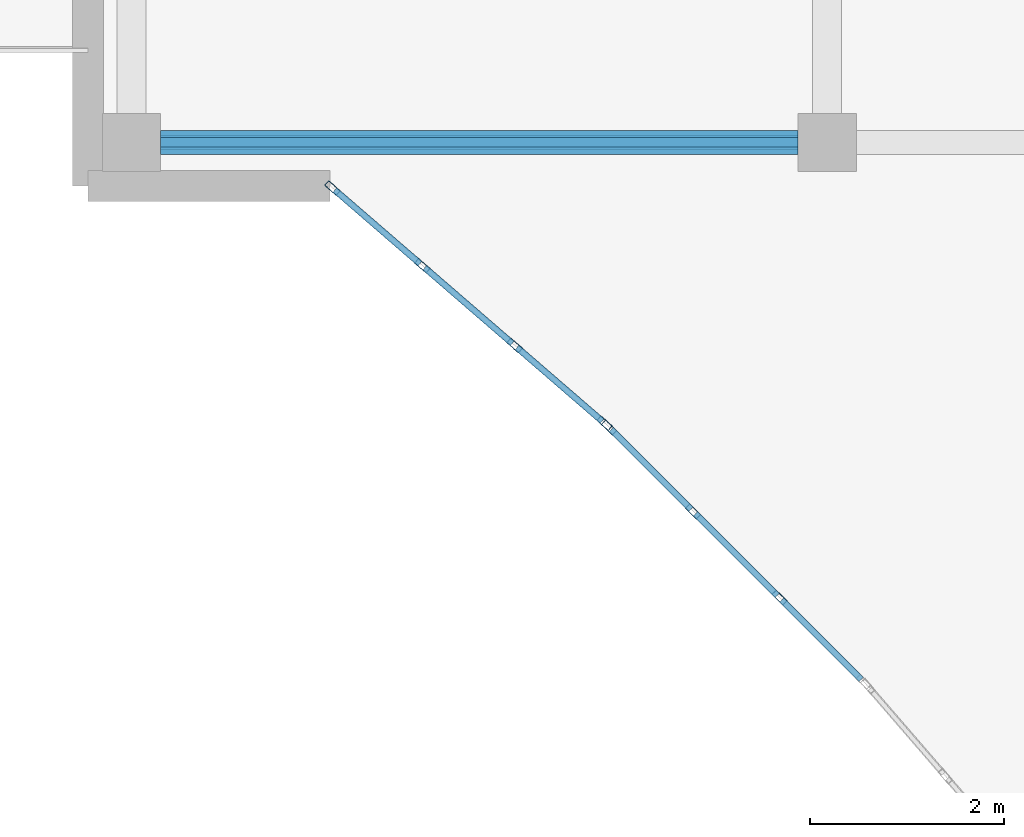
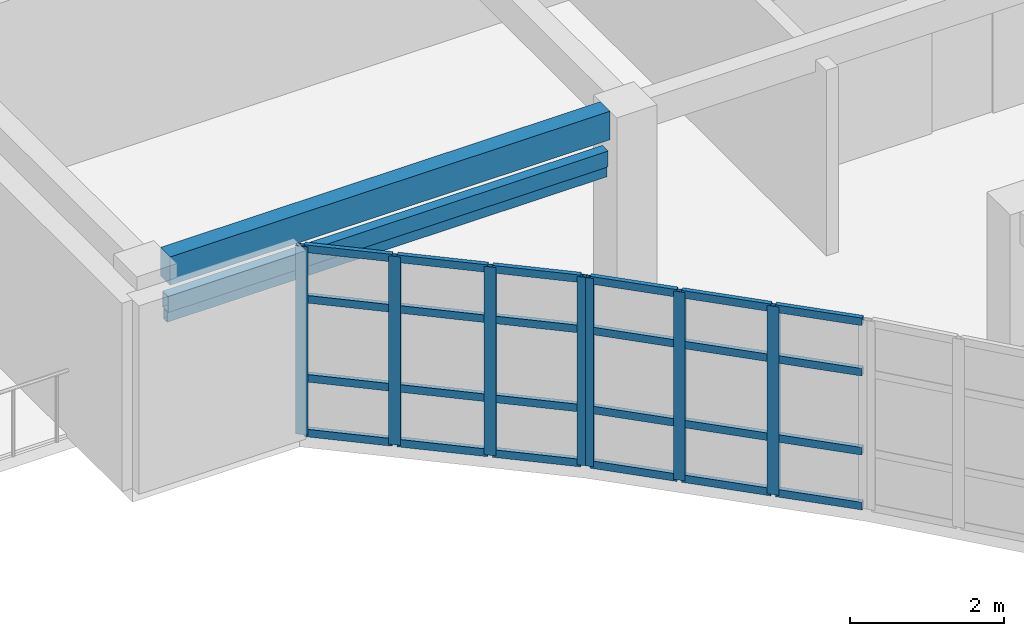
# One storey, part 10 of 76: 33 members, 1 beam, 2 elements without a shape of their own.
"""IFC4 building model written with IfcOpenShell, lengths in metres."""

from ifc_helpers import new_model, si_unit, direction, frame, origin, origin_2d, place, context, subcontext, project, spatial, rectangle, hollow_rectangle, extrude, material, layer, layer_set, material_profile, profile_set, type_object, element, aggregate, save


model = new_model("IFC4")

# Units and contexts
model_context = context("Model", 3, precision=1e-05, world=origin(), true_north=direction((0.0, 1.0)))
body_context = subcontext(model_context, "Body", "Model", "MODEL_VIEW")
ifc_project = project(units=[si_unit("LENGTHUNIT", "METRE"), si_unit("AREAUNIT", "SQUARE_METRE"), si_unit("VOLUMEUNIT", "CUBIC_METRE"), si_unit("PLANEANGLEUNIT", "RADIAN"), si_unit("MASSUNIT", "GRAM", prefix="KILO")], contexts=[model_context])

# Site, building, storey
site_placement = place(None, origin())
site = spatial("IfcSite", under=ifc_project, at=site_placement, CompositionType="ELEMENT")
building_placement = place(site_placement, origin())
building = spatial("IfcBuilding", under=site, at=building_placement, Name="Keldmere Railside Commons", CompositionType="ELEMENT")
storey_placement = place(building_placement, frame((0.0, 0.0, 13.760009765625)))
storey = spatial("IfcBuildingStorey", under=building, at=storey_placement, Name="L04", CompositionType="ELEMENT", Elevation=13.760009765625)

# Member
ifc_material_1 = material(Name="Steel F-36 (S355)", Category="steel")
ifc_material_profile_1 = material_profile(ifc_material_1, hollow_rectangle(XDim=0.14990234375, YDim=0.25, WallThickness=0.010009765625, at=origin_2d()), Name="RHS-250x150x10")
ifc_profile_set_1 = profile_set([ifc_material_profile_1], Name="Steel F-36 (S355)")
member_type_1 = type_object("IfcMemberType", Name="Balcony Continuous Planted Trough RHS250x150", PredefinedType="CHORD", material=ifc_profile_set_1)
member_1_placement = place(storey_placement, frame((94.25, 100.449951171875, 2.4150390625), z_axis=(1.0, 0.0, 0.0), x_axis=(0.0, 1.0, 0.0)))
element("IfcMember", 1, at=member_1_placement, inside=storey, type_object=member_type_1, Name="PLT-1 MEM-BPLT-0519", PredefinedType="CHORD", context=body_context, shape_type="SweptSolid", body=[
    extrude(hollow_rectangle(XDim=0.14990234375, YDim=0.25, WallThickness=0.010009765625, at=origin_2d()), origin(), (0.0, 0.0, 1.0), 6.5830078125),
])

# Beam
ifc_material_2 = material(Name="Architectural Precast Concrete H-35 (C35/45)", Category="concrete")
ifc_material_profile_2 = material_profile(ifc_material_2, rectangle(XDim=0.25, YDim=0.449951171875, at=origin_2d()), Name="RC-250x450")
ifc_profile_set_2 = profile_set([ifc_material_profile_2], Name="Architectural Precast Concrete H-35 (C35/45)")
beam_type = type_object("IfcBeamType", Name="Perimeter Precast Spandrel Beam 250x450", PredefinedType="SPANDREL", material=ifc_profile_set_2)
beam_placement = place(storey_placement, frame((94.25, 100.449951171875, 2.97509765625), z_axis=(1.0, 0.0, 0.0), x_axis=(0.0, 1.0, 0.0)))
element("IfcBeam", 2, at=beam_placement, inside=storey, type_object=beam_type, Name="SPB-1 BM-L04-1558", PredefinedType="SPANDREL", context=body_context, shape_type="SweptSolid", body=[
    extrude(rectangle(XDim=0.25, YDim=0.449951171875, at=origin_2d()), origin(), (0.0, 0.0, 1.0), 6.5830078125),
])

# Member
ifc_material_profile_3 = material_profile(ifc_material_1, hollow_rectangle(XDim=0.10009765625, YDim=0.159912109375, WallThickness=0.008056640625, at=origin_2d()), Name="RHS-160x100x8")
ifc_profile_set_3 = profile_set([ifc_material_profile_3], Name="Steel F-36 (S355)")
member_type_2 = type_object("IfcMemberType", Name="Solar Brise-Soleil Louvre Fin RHS160x100", PredefinedType="STRUT", material=ifc_profile_set_3)
member_2_placement = place(storey_placement, frame((94.25, 100.449951171875, 2.199951171875), z_axis=(1.0, 0.0, 0.0), x_axis=(0.0, 1.0, 0.0)))
element("IfcMember", 3, at=member_2_placement, inside=storey, type_object=member_type_2, Name="BSF-1 MEM-BSF-0520", PredefinedType="STRUT", context=body_context, shape_type="SweptSolid", body=[
    extrude(hollow_rectangle(XDim=0.10009765625, YDim=0.159912109375, WallThickness=0.008056640625, at=origin_2d()), origin(), (0.0, 0.0, 1.0), 6.5830078125),
])

# Curtain wall, members
ifc_material_3 = material(Name="Thermally Broken Aluminium", Category="aluminium")
ifc_layer_1 = layer(ifc_material_3, 0.159912109375, Name="Court Chord Wintergarden CW 4800x2850")
ifc_layer_set_1 = layer_set([ifc_layer_1], Name="Thermally Broken Aluminium")
curtain_wall_type_1 = type_object("IfcCurtainWallType", Name="Court Chord Wintergarden CW 4800x2850", PredefinedType="NOTDEFINED", material=ifc_layer_set_1)
curtain_wall_1_placement = place(storey_placement, origin())
curtain_wall_1 = element("IfcCurtainWall", 4, at=curtain_wall_1_placement, inside=storey, type_object=curtain_wall_type_1, Name="CW-12 CW-L04-112", PredefinedType="NOTDEFINED")
ifc_material_profile_4 = material_profile(ifc_material_3, hollow_rectangle(XDim=0.06494140625, YDim=0.159912109375, WallThickness=0.00390625, at=origin_2d()), Name="ALU-MULL-65x160")
ifc_profile_set_4 = profile_set([ifc_material_profile_4], Name="Thermally Broken Aluminium")
member_type_3 = type_object("IfcMemberType", Name="Unitised Curtain Wall Mullion 65x160", PredefinedType="MULLION", material=ifc_profile_set_4)
member_3_placement = place(storey_placement, frame((98.83349609375, 97.55126953125, 0.0), z_axis=(0.0, 0.0, 1.0), x_axis=(-0.653881741053, -0.756596767584, 0.0)))
member_3 = element("IfcMember", 5, at=member_3_placement, type_object=member_type_3, Name="CW-12 mullion 1", PredefinedType="MULLION", context=body_context, shape_type="SweptSolid", body=[
    extrude(hollow_rectangle(XDim=0.06494140625, YDim=0.159912109375, WallThickness=0.00390625, at=origin_2d()), origin(), (0.0, 0.0, 1.0), 2.97998046875),
])
member_4_placement = place(storey_placement, frame((97.9052734375, 98.353271484375, 0.0), z_axis=(0.0, 0.0, 1.0), x_axis=(-0.653881741053, -0.756596767584, 0.0)))
member_4 = element("IfcMember", 6, at=member_4_placement, type_object=member_type_3, Name="CW-12 mullion 2", PredefinedType="MULLION", context=body_context, shape_type="SweptSolid", body=[
    extrude(hollow_rectangle(XDim=0.06494140625, YDim=0.159912109375, WallThickness=0.00390625, at=origin_2d()), origin(), (0.0, 0.0, 1.0), 2.97998046875),
])
member_5_placement = place(storey_placement, frame((96.95263671875, 99.1767578125, 0.0), z_axis=(0.0, 0.0, 1.0), x_axis=(-0.653881741053, -0.756596767584, 0.0)))
member_5 = element("IfcMember", 7, at=member_5_placement, type_object=member_type_3, Name="CW-12 mullion 3", PredefinedType="MULLION", context=body_context, shape_type="SweptSolid", body=[
    extrude(hollow_rectangle(XDim=0.06494140625, YDim=0.159912109375, WallThickness=0.00390625, at=origin_2d()), origin(), (0.0, 0.0, 1.0), 2.97998046875),
])
member_6_placement = place(storey_placement, frame((96.024658203125, 99.978759765625, 0.0), z_axis=(0.0, 0.0, 1.0), x_axis=(-0.653881741053, -0.756596767584, 0.0)))
member_6 = element("IfcMember", 8, at=member_6_placement, type_object=member_type_3, Name="CW-12 mullion 4", PredefinedType="MULLION", context=body_context, shape_type="SweptSolid", body=[
    extrude(hollow_rectangle(XDim=0.06494140625, YDim=0.159912109375, WallThickness=0.00390625, at=origin_2d()), origin(), (0.0, 0.0, 1.0), 2.97998046875),
])

ifc_layer_2 = layer(ifc_material_3, 0.159912109375, Name="Court Chord Wintergarden CW 5400x2850")
ifc_layer_set_2 = layer_set([ifc_layer_2], Name="Thermally Broken Aluminium")
curtain_wall_type_2 = type_object("IfcCurtainWallType", Name="Court Chord Wintergarden CW 5400x2850", PredefinedType="NOTDEFINED", material=ifc_layer_set_2)
curtain_wall_2_placement = place(storey_placement, origin())
curtain_wall_2 = element("IfcCurtainWall", 9, at=curtain_wall_2_placement, inside=storey, type_object=curtain_wall_type_2, Name="CW-13 CW-L04-113", PredefinedType="NOTDEFINED")
member_7_placement = place(storey_placement, frame((100.639404296875, 95.748779296875, 0.0), z_axis=(0.0, 0.0, 1.0), x_axis=(-0.707106781187, -0.707106781187, 0.0)))
member_7 = element("IfcMember", 10, at=member_7_placement, type_object=member_type_3, Name="CW-13 mullion 2", PredefinedType="MULLION", context=body_context, shape_type="SweptSolid", body=[
    extrude(hollow_rectangle(XDim=0.06494140625, YDim=0.159912109375, WallThickness=0.00390625, at=origin_2d()), origin(), (0.0, 0.0, 1.0), 2.97998046875),
])
member_8_placement = place(storey_placement, frame((99.748779296875, 96.639404296875, 0.0), z_axis=(0.0, 0.0, 1.0), x_axis=(-0.707106781187, -0.707106781187, 0.0)))
member_8 = element("IfcMember", 11, at=member_8_placement, type_object=member_type_3, Name="CW-13 mullion 3", PredefinedType="MULLION", context=body_context, shape_type="SweptSolid", body=[
    extrude(hollow_rectangle(XDim=0.06494140625, YDim=0.159912109375, WallThickness=0.00390625, at=origin_2d()), origin(), (0.0, 0.0, 1.0), 2.97998046875),
])
member_9_placement = place(storey_placement, frame((98.880859375, 97.507080078125, 0.0), z_axis=(0.0, 0.0, 1.0), x_axis=(-0.707106781187, -0.707106781187, 0.0)))
member_9 = element("IfcMember", 12, at=member_9_placement, type_object=member_type_3, Name="CW-13 mullion 4", PredefinedType="MULLION", context=body_context, shape_type="SweptSolid", body=[
    extrude(hollow_rectangle(XDim=0.06494140625, YDim=0.159912109375, WallThickness=0.00390625, at=origin_2d()), origin(), (0.0, 0.0, 1.0), 2.97998046875),
])

# Member
ifc_material_profile_5 = material_profile(ifc_material_3, hollow_rectangle(XDim=0.06494140625, YDim=0.1201171875, WallThickness=0.00390625, at=origin_2d()), Name="ALU-TRAN-65x120")
ifc_profile_set_5 = profile_set([ifc_material_profile_5], Name="Thermally Broken Aluminium")
member_type_4 = type_object("IfcMemberType", Name="Unitised Curtain Wall Transom 65x120", PredefinedType="USERDEFINED", material=ifc_profile_set_5)
member_10_placement = place(storey_placement, frame((98.808837890625, 97.572509765625, 0.032470703125), z_axis=(-0.756624489527, 0.653849663033, 0.0), x_axis=(-0.653849663033, -0.756624489527, 0.0)))
member_10 = element("IfcMember", 13, at=member_10_placement, type_object=member_type_4, Name="CW-12 transom 1.1", ObjectType="TRANSOM", PredefinedType="USERDEFINED", context=body_context, shape_type="SweptSolid", body=[
    extrude(hollow_rectangle(XDim=0.06494140625, YDim=0.1201171875, WallThickness=0.00390625, at=origin_2d()), origin(), (0.0, 0.0, 1.0), 1.16162109375),
])

member_11_placement = place(storey_placement, frame((98.808837890625, 97.572509765625, 0.89990234375), z_axis=(-0.756624489527, 0.653849663033, 0.0), x_axis=(-0.653849663033, -0.756624489527, 0.0)))
member_11 = element("IfcMember", 14, at=member_11_placement, type_object=member_type_4, Name="CW-12 transom 1.2", ObjectType="TRANSOM", PredefinedType="USERDEFINED", context=body_context, shape_type="SweptSolid", body=[
    extrude(hollow_rectangle(XDim=0.06494140625, YDim=0.1201171875, WallThickness=0.00390625, at=origin_2d()), origin(), (0.0, 0.0, 1.0), 1.16162109375),
])

member_12_placement = place(storey_placement, frame((98.808837890625, 97.572509765625, 2.14990234375), z_axis=(-0.756624489527, 0.653849663033, 0.0), x_axis=(-0.653849663033, -0.756624489527, 0.0)))
member_12 = element("IfcMember", 15, at=member_12_placement, type_object=member_type_4, Name="CW-12 transom 1.3", ObjectType="TRANSOM", PredefinedType="USERDEFINED", context=body_context, shape_type="SweptSolid", body=[
    extrude(hollow_rectangle(XDim=0.06494140625, YDim=0.1201171875, WallThickness=0.00390625, at=origin_2d()), origin(), (0.0, 0.0, 1.0), 1.16162109375),
])

member_13_placement = place(storey_placement, frame((98.808837890625, 97.572509765625, 2.947509765625), z_axis=(-0.756624489527, 0.653849663033, 0.0), x_axis=(-0.653849663033, -0.756624489527, 0.0)))
member_13 = element("IfcMember", 16, at=member_13_placement, type_object=member_type_4, Name="CW-12 transom 1.4", ObjectType="TRANSOM", PredefinedType="USERDEFINED", context=body_context, shape_type="SweptSolid", body=[
    extrude(hollow_rectangle(XDim=0.06494140625, YDim=0.1201171875, WallThickness=0.00390625, at=origin_2d()), origin(), (0.0, 0.0, 1.0), 1.16162109375),
])

member_14_placement = place(storey_placement, frame((97.880859375, 98.37451171875, 0.032470703125), z_axis=(-0.756551755881, 0.653933819796, 0.0), x_axis=(-0.653933819796, -0.756551755881, 0.0)))
member_14 = element("IfcMember", 17, at=member_14_placement, type_object=member_type_4, Name="CW-12 transom 2.1", ObjectType="TRANSOM", PredefinedType="USERDEFINED", context=body_context, shape_type="SweptSolid", body=[
    extrude(hollow_rectangle(XDim=0.06494140625, YDim=0.1201171875, WallThickness=0.00390625, at=origin_2d()), origin(), (0.0, 0.0, 1.0), 1.1943359375),
])

member_15_placement = place(storey_placement, frame((97.880859375, 98.37451171875, 0.89990234375), z_axis=(-0.756551755881, 0.653933819796, 0.0), x_axis=(-0.653933819796, -0.756551755881, 0.0)))
member_15 = element("IfcMember", 18, at=member_15_placement, type_object=member_type_4, Name="CW-12 transom 2.2", ObjectType="TRANSOM", PredefinedType="USERDEFINED", context=body_context, shape_type="SweptSolid", body=[
    extrude(hollow_rectangle(XDim=0.06494140625, YDim=0.1201171875, WallThickness=0.00390625, at=origin_2d()), origin(), (0.0, 0.0, 1.0), 1.1943359375),
])

member_16_placement = place(storey_placement, frame((97.880859375, 98.37451171875, 2.14990234375), z_axis=(-0.756551755881, 0.653933819796, 0.0), x_axis=(-0.653933819796, -0.756551755881, 0.0)))
member_16 = element("IfcMember", 19, at=member_16_placement, type_object=member_type_4, Name="CW-12 transom 2.3", ObjectType="TRANSOM", PredefinedType="USERDEFINED", context=body_context, shape_type="SweptSolid", body=[
    extrude(hollow_rectangle(XDim=0.06494140625, YDim=0.1201171875, WallThickness=0.00390625, at=origin_2d()), origin(), (0.0, 0.0, 1.0), 1.1943359375),
])

member_17_placement = place(storey_placement, frame((97.880859375, 98.37451171875, 2.947509765625), z_axis=(-0.756551755881, 0.653933819796, 0.0), x_axis=(-0.653933819796, -0.756551755881, 0.0)))
member_17 = element("IfcMember", 20, at=member_17_placement, type_object=member_type_4, Name="CW-12 transom 2.4", ObjectType="TRANSOM", PredefinedType="USERDEFINED", context=body_context, shape_type="SweptSolid", body=[
    extrude(hollow_rectangle(XDim=0.06494140625, YDim=0.1201171875, WallThickness=0.00390625, at=origin_2d()), origin(), (0.0, 0.0, 1.0), 1.1943359375),
])

member_18_placement = place(storey_placement, frame((96.927978515625, 99.197998046875, 0.032470703125), z_axis=(-0.756624489527, 0.653849663033, 0.0), x_axis=(-0.653849663033, -0.756624489527, 0.0)))
member_18 = element("IfcMember", 21, at=member_18_placement, type_object=member_type_4, Name="CW-12 transom 3.1", ObjectType="TRANSOM", PredefinedType="USERDEFINED", context=body_context, shape_type="SweptSolid", body=[
    extrude(hollow_rectangle(XDim=0.06494140625, YDim=0.1201171875, WallThickness=0.00390625, at=origin_2d()), origin(), (0.0, 0.0, 1.0), 1.16162109375),
])

member_19_placement = place(storey_placement, frame((96.927978515625, 99.197998046875, 0.89990234375), z_axis=(-0.756624489527, 0.653849663033, 0.0), x_axis=(-0.653849663033, -0.756624489527, 0.0)))
member_19 = element("IfcMember", 22, at=member_19_placement, type_object=member_type_4, Name="CW-12 transom 3.2", ObjectType="TRANSOM", PredefinedType="USERDEFINED", context=body_context, shape_type="SweptSolid", body=[
    extrude(hollow_rectangle(XDim=0.06494140625, YDim=0.1201171875, WallThickness=0.00390625, at=origin_2d()), origin(), (0.0, 0.0, 1.0), 1.16162109375),
])

member_20_placement = place(storey_placement, frame((96.927978515625, 99.197998046875, 2.14990234375), z_axis=(-0.756624489527, 0.653849663033, 0.0), x_axis=(-0.653849663033, -0.756624489527, 0.0)))
member_20 = element("IfcMember", 23, at=member_20_placement, type_object=member_type_4, Name="CW-12 transom 3.3", ObjectType="TRANSOM", PredefinedType="USERDEFINED", context=body_context, shape_type="SweptSolid", body=[
    extrude(hollow_rectangle(XDim=0.06494140625, YDim=0.1201171875, WallThickness=0.00390625, at=origin_2d()), origin(), (0.0, 0.0, 1.0), 1.16162109375),
])

member_21_placement = place(storey_placement, frame((96.927978515625, 99.197998046875, 2.947509765625), z_axis=(-0.756624489527, 0.653849663033, 0.0), x_axis=(-0.653849663033, -0.756624489527, 0.0)))
member_21 = element("IfcMember", 24, at=member_21_placement, type_object=member_type_4, Name="CW-12 transom 3.4", ObjectType="TRANSOM", PredefinedType="USERDEFINED", context=body_context, shape_type="SweptSolid", body=[
    extrude(hollow_rectangle(XDim=0.06494140625, YDim=0.1201171875, WallThickness=0.00390625, at=origin_2d()), origin(), (0.0, 0.0, 1.0), 1.16162109375),
])

aggregate(curtain_wall_1, [member_3, member_4, member_5, member_6, member_10, member_11, member_12, member_13, member_14, member_15, member_16, member_17, member_18, member_19, member_20, member_21])

member_22_placement = place(storey_placement, frame((101.484130859375, 94.904052734375, 0.032470703125), z_axis=(-0.707211825645, 0.707001721121, 0.0), x_axis=(-0.707001721121, -0.707211825645, 0.0)))
member_22 = element("IfcMember", 25, at=member_22_placement, type_object=member_type_4, Name="CW-13 transom 1.1", ObjectType="TRANSOM", PredefinedType="USERDEFINED", context=body_context, shape_type="SweptSolid", body=[
    extrude(hollow_rectangle(XDim=0.06494140625, YDim=0.1201171875, WallThickness=0.00390625, at=origin_2d()), origin(), (0.0, 0.0, 1.0), 1.162109375),
])

member_23_placement = place(storey_placement, frame((101.484130859375, 94.904052734375, 0.89990234375), z_axis=(-0.707211825645, 0.707001721121, 0.0), x_axis=(-0.707001721121, -0.707211825645, 0.0)))
member_23 = element("IfcMember", 26, at=member_23_placement, type_object=member_type_4, Name="CW-13 transom 1.2", ObjectType="TRANSOM", PredefinedType="USERDEFINED", context=body_context, shape_type="SweptSolid", body=[
    extrude(hollow_rectangle(XDim=0.06494140625, YDim=0.1201171875, WallThickness=0.00390625, at=origin_2d()), origin(), (0.0, 0.0, 1.0), 1.162109375),
])

member_24_placement = place(storey_placement, frame((101.484130859375, 94.904052734375, 2.14990234375), z_axis=(-0.707211825645, 0.707001721121, 0.0), x_axis=(-0.707001721121, -0.707211825645, 0.0)))
member_24 = element("IfcMember", 27, at=member_24_placement, type_object=member_type_4, Name="CW-13 transom 1.3", ObjectType="TRANSOM", PredefinedType="USERDEFINED", context=body_context, shape_type="SweptSolid", body=[
    extrude(hollow_rectangle(XDim=0.06494140625, YDim=0.1201171875, WallThickness=0.00390625, at=origin_2d()), origin(), (0.0, 0.0, 1.0), 1.162109375),
])

member_25_placement = place(storey_placement, frame((101.484130859375, 94.904052734375, 2.947509765625), z_axis=(-0.707211825645, 0.707001721121, 0.0), x_axis=(-0.707001721121, -0.707211825645, 0.0)))
member_25 = element("IfcMember", 28, at=member_25_placement, type_object=member_type_4, Name="CW-13 transom 1.4", ObjectType="TRANSOM", PredefinedType="USERDEFINED", context=body_context, shape_type="SweptSolid", body=[
    extrude(hollow_rectangle(XDim=0.06494140625, YDim=0.1201171875, WallThickness=0.00390625, at=origin_2d()), origin(), (0.0, 0.0, 1.0), 1.162109375),
])

member_26_placement = place(storey_placement, frame((100.616455078125, 95.771728515625, 0.032470703125), z_axis=(-0.707106781187, 0.707106781187, 0.0), x_axis=(-0.707106781187, -0.707106781187, 0.0)))
member_26 = element("IfcMember", 29, at=member_26_placement, type_object=member_type_4, Name="CW-13 transom 2.1", ObjectType="TRANSOM", PredefinedType="USERDEFINED", context=body_context, shape_type="SweptSolid", body=[
    extrude(hollow_rectangle(XDim=0.06494140625, YDim=0.1201171875, WallThickness=0.00390625, at=origin_2d()), origin(), (0.0, 0.0, 1.0), 1.194580078125),
])

member_27_placement = place(storey_placement, frame((100.616455078125, 95.771728515625, 0.89990234375), z_axis=(-0.707106781187, 0.707106781187, 0.0), x_axis=(-0.707106781187, -0.707106781187, 0.0)))
member_27 = element("IfcMember", 30, at=member_27_placement, type_object=member_type_4, Name="CW-13 transom 2.2", ObjectType="TRANSOM", PredefinedType="USERDEFINED", context=body_context, shape_type="SweptSolid", body=[
    extrude(hollow_rectangle(XDim=0.06494140625, YDim=0.1201171875, WallThickness=0.00390625, at=origin_2d()), origin(), (0.0, 0.0, 1.0), 1.194580078125),
])

member_28_placement = place(storey_placement, frame((100.616455078125, 95.771728515625, 2.14990234375), z_axis=(-0.707106781187, 0.707106781187, 0.0), x_axis=(-0.707106781187, -0.707106781187, 0.0)))
member_28 = element("IfcMember", 31, at=member_28_placement, type_object=member_type_4, Name="CW-13 transom 2.3", ObjectType="TRANSOM", PredefinedType="USERDEFINED", context=body_context, shape_type="SweptSolid", body=[
    extrude(hollow_rectangle(XDim=0.06494140625, YDim=0.1201171875, WallThickness=0.00390625, at=origin_2d()), origin(), (0.0, 0.0, 1.0), 1.194580078125),
])

member_29_placement = place(storey_placement, frame((100.616455078125, 95.771728515625, 2.947509765625), z_axis=(-0.707106781187, 0.707106781187, 0.0), x_axis=(-0.707106781187, -0.707106781187, 0.0)))
member_29 = element("IfcMember", 32, at=member_29_placement, type_object=member_type_4, Name="CW-13 transom 2.4", ObjectType="TRANSOM", PredefinedType="USERDEFINED", context=body_context, shape_type="SweptSolid", body=[
    extrude(hollow_rectangle(XDim=0.06494140625, YDim=0.1201171875, WallThickness=0.00390625, at=origin_2d()), origin(), (0.0, 0.0, 1.0), 1.194580078125),
])

member_30_placement = place(storey_placement, frame((99.7255859375, 96.662353515625, 0.032470703125), z_axis=(-0.707001721121, 0.707211825645, 0.0), x_axis=(-0.707211825645, -0.707001721121, 0.0)))
member_30 = element("IfcMember", 33, at=member_30_placement, type_object=member_type_4, Name="CW-13 transom 3.1", ObjectType="TRANSOM", PredefinedType="USERDEFINED", context=body_context, shape_type="SweptSolid", body=[
    extrude(hollow_rectangle(XDim=0.06494140625, YDim=0.1201171875, WallThickness=0.00390625, at=origin_2d()), origin(), (0.0, 0.0, 1.0), 1.162109375),
])

member_31_placement = place(storey_placement, frame((99.7255859375, 96.662353515625, 0.89990234375), z_axis=(-0.707001721121, 0.707211825645, 0.0), x_axis=(-0.707211825645, -0.707001721121, 0.0)))
member_31 = element("IfcMember", 34, at=member_31_placement, type_object=member_type_4, Name="CW-13 transom 3.2", ObjectType="TRANSOM", PredefinedType="USERDEFINED", context=body_context, shape_type="SweptSolid", body=[
    extrude(hollow_rectangle(XDim=0.06494140625, YDim=0.1201171875, WallThickness=0.00390625, at=origin_2d()), origin(), (0.0, 0.0, 1.0), 1.162109375),
])

member_32_placement = place(storey_placement, frame((99.7255859375, 96.662353515625, 2.14990234375), z_axis=(-0.707001721121, 0.707211825645, 0.0), x_axis=(-0.707211825645, -0.707001721121, 0.0)))
member_32 = element("IfcMember", 35, at=member_32_placement, type_object=member_type_4, Name="CW-13 transom 3.3", ObjectType="TRANSOM", PredefinedType="USERDEFINED", context=body_context, shape_type="SweptSolid", body=[
    extrude(hollow_rectangle(XDim=0.06494140625, YDim=0.1201171875, WallThickness=0.00390625, at=origin_2d()), origin(), (0.0, 0.0, 1.0), 1.162109375),
])

member_33_placement = place(storey_placement, frame((99.7255859375, 96.662353515625, 2.947509765625), z_axis=(-0.707001721121, 0.707211825645, 0.0), x_axis=(-0.707211825645, -0.707001721121, 0.0)))
member_33 = element("IfcMember", 36, at=member_33_placement, type_object=member_type_4, Name="CW-13 transom 3.4", ObjectType="TRANSOM", PredefinedType="USERDEFINED", context=body_context, shape_type="SweptSolid", body=[
    extrude(hollow_rectangle(XDim=0.06494140625, YDim=0.1201171875, WallThickness=0.00390625, at=origin_2d()), origin(), (0.0, 0.0, 1.0), 1.162109375),
])

aggregate(curtain_wall_2, [member_7, member_8, member_9, member_22, member_23, member_24, member_25, member_26, member_27, member_28, member_29, member_30, member_31, member_32, member_33])

save(model, "model.ifc")
